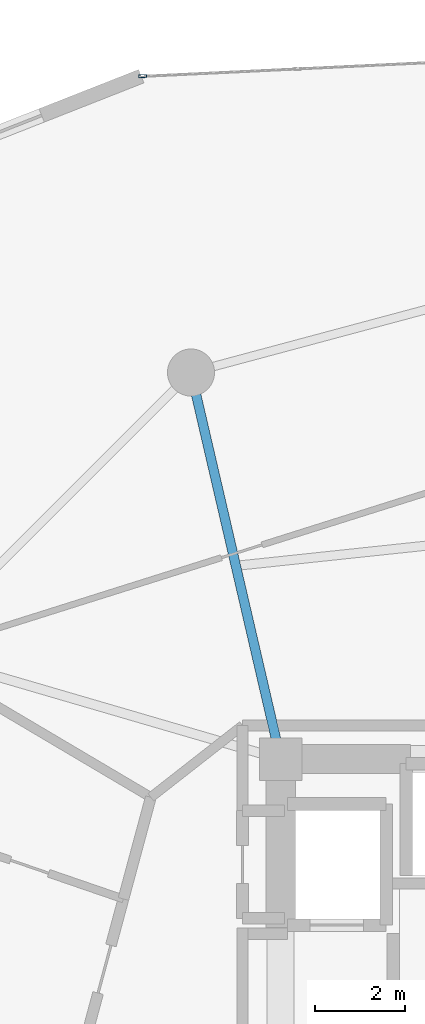
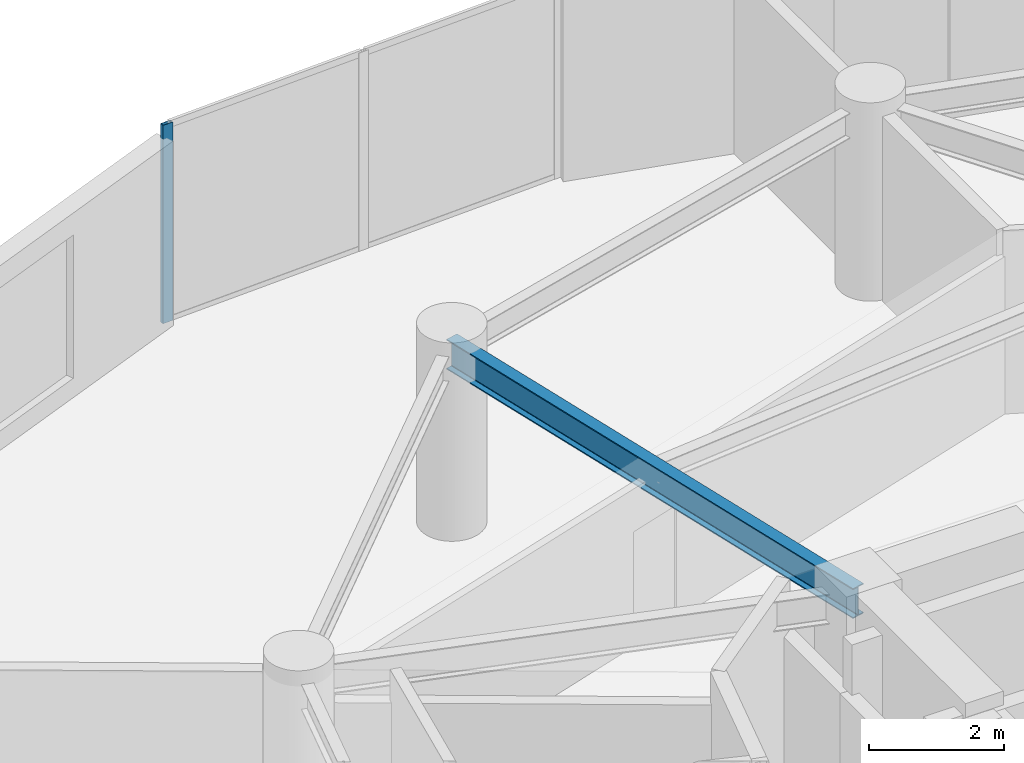
# One storey, part 16 of 25: 1 beam, 1 member, 1 element without a shape of its own.
"""IFC4 building model written with IfcOpenShell, lengths in metres."""

from ifc_helpers import new_model, si_unit, direction, frame, origin, origin_2d, place, context, subcontext, project, spatial, hollow_rectangle, i_section, extrude, source, transform, mapped, material, layer, layer_set, material_profile, profile_set, type_object, element, aggregate, save


model = new_model("IFC4")

# Units and contexts
model_context = context("Model", 3, precision=1e-05, world=origin(), true_north=direction((0.0, 1.0)))
body_context = subcontext(model_context, "Body", "Model", "MODEL_VIEW")
ifc_project = project(units=[si_unit("LENGTHUNIT", "METRE"), si_unit("AREAUNIT", "SQUARE_METRE"), si_unit("VOLUMEUNIT", "CUBIC_METRE"), si_unit("PLANEANGLEUNIT", "RADIAN"), si_unit("MASSUNIT", "GRAM", prefix="KILO")], contexts=[model_context])

# Site, building, storey
site_placement = place(None, origin())
site = spatial("IfcSite", under=ifc_project, at=site_placement, CompositionType="ELEMENT")
building_placement = place(site_placement, origin())
building = spatial("IfcBuilding", under=site, at=building_placement, Name="Solvirekh Grand Hotel", CompositionType="ELEMENT")
storey_placement = place(building_placement, frame((0.0, 0.0, 124.199951171875)))
storey = spatial("IfcBuildingStorey", under=building, at=storey_placement, Name="L31", CompositionType="ELEMENT", Elevation=124.199951171875)

# Beam
ifc_material_1 = material(Name="Steel S355", Category="steel")
ifc_material_profile_1 = material_profile(ifc_material_1, i_section(OverallWidth=0.2119140625, OverallDepth=0.5439453125, WebThickness=0.011962890625, FlangeThickness=0.01904296875, FilletRadius=0.013916015625, at=origin_2d()), Name="W530X123")
ifc_profile_set_1 = profile_set([ifc_material_profile_1], Name="Steel S355")
beam_type = type_object("IfcBeamType", Name="Beam_Radial_W530H", PredefinedType="BEAM", material=ifc_profile_set_1)
beam_placement = place(storey_placement, frame((-6.5, 6.10009765625, 3.078125), z_axis=(-0.225969390542, 0.974134402707, 0.0), x_axis=(-0.974134402707, -0.225969390542, 0.0)))
element("IfcBeam", 1, at=beam_placement, inside=storey, type_object=beam_type, Name="L31 radial floor beam R05", PredefinedType="BEAM", context=body_context, shape_type="SweptSolid", body=[
    extrude(i_section(OverallWidth=0.2119140625, OverallDepth=0.5439453125, WebThickness=0.011962890625, FlangeThickness=0.01904296875, FilletRadius=0.013916015625, at=origin_2d()), origin(), (0.0, 0.0, 1.0), 8.850830078125),
])

# Curtain wall, member
ifc_material_2 = material(Name="Anodized Bronze Aluminium 6063-T6", Category="aluminium")
ifc_layer = layer(ifc_material_2, 0.175048828125)
ifc_layer_set = layer_set([ifc_layer], Name="Anodized Bronze Aluminium 6063-T6")
curtain_wall_type = type_object("IfcCurtainWallType", Name="CW_Sys3_MidZoneFlushBronzeCW", PredefinedType="NOTDEFINED", material=ifc_layer_set)
curtain_wall_placement = place(storey_placement, origin())
curtain_wall = element("IfcCurtainWall", 2, at=curtain_wall_placement, inside=storey, type_object=curtain_wall_type, Name="L31 unitised bronze-glass curtain wall CW-L31-C08", PredefinedType="NOTDEFINED")
ifc_material_profile_2 = material_profile(ifc_material_2, hollow_rectangle(XDim=0.06494140625, YDim=0.175048828125, WallThickness=0.0048828125, at=origin_2d()), Name="ALU RHS 175X65X5")
ifc_profile_set_2 = profile_set([ifc_material_profile_2], Name="Anodized Bronze Aluminium 6063-T6")
member_type = type_object("IfcMemberType", Name="CWMullion_Sys3", PredefinedType="MULLION", material=ifc_profile_set_2)
shared_shape = source(origin(), body_context, "Body", "SweptSolid", [
    extrude(hollow_rectangle(XDim=0.06494140625, YDim=0.175048828125, WallThickness=0.0048828125, at=origin_2d()), origin(), (0.0, 0.0, 1.0), 3.60009765625),
])
member_placement = place(storey_placement, frame((-9.57763671875, 21.33154296875, 0.0), z_axis=(0.0, 0.0, 1.0), x_axis=(0.047932237159, -0.998850589749, 0.0)))
member = element("IfcMember", 3, at=member_placement, type_object=member_type, Name="U03 mullion 3", PredefinedType="MULLION", context=body_context, shape_type="MappedRepresentation", body=[
    mapped(shared_shape, transform((0.0, 0.0, 0.0), x_axis=(1.0, 0.0, 0.0), y_axis=(0.0, 1.0, 0.0), z_axis=(0.0, 0.0, 1.0), scale=1.0)),
])
aggregate(curtain_wall, [member])

save(model, "model.ifc")
